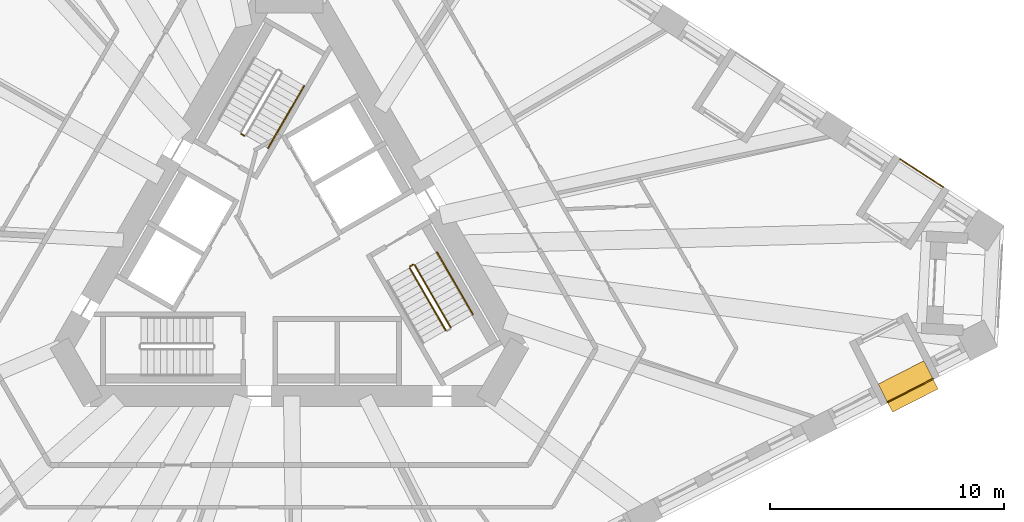
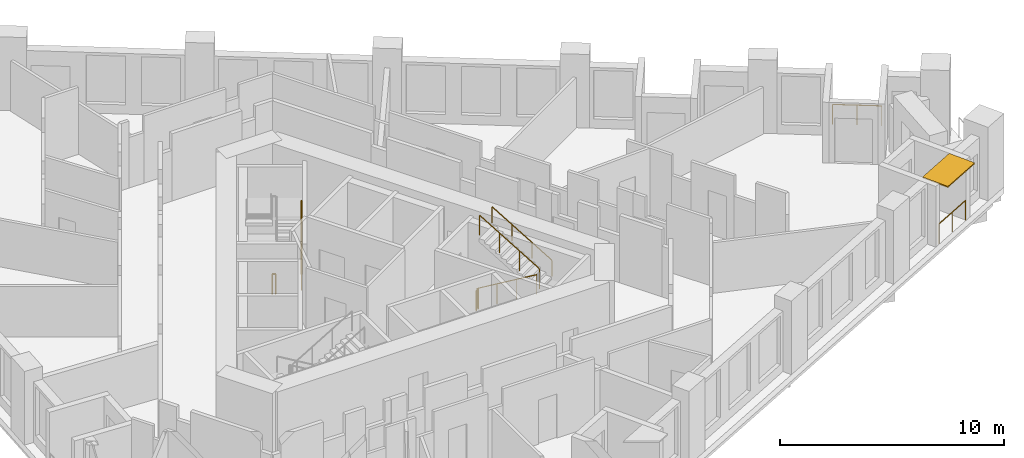
# One storey, part 10 of 12: 8 railings, 1 shading device.
"""IFC4 building model written with IfcOpenShell, lengths in metres."""

from ifc_helpers import new_model, si_unit, direction, frame, origin, origin_2d, place, context, subcontext, project, spatial, rectangle, circle, extrude, material, layer, layer_set, type_object, element, save


model = new_model("IFC4")

# Units and contexts
model_context = context("Model", 3, precision=1e-05, world=origin(), true_north=direction((0.0, 1.0)))
body_context = subcontext(model_context, "Body", "Model", "MODEL_VIEW")
ifc_project = project(units=[si_unit("LENGTHUNIT", "METRE"), si_unit("AREAUNIT", "SQUARE_METRE"), si_unit("VOLUMEUNIT", "CUBIC_METRE"), si_unit("PLANEANGLEUNIT", "RADIAN"), si_unit("MASSUNIT", "GRAM", prefix="KILO")], contexts=[model_context])

# Site, building, storey
site_placement = place(None, origin())
site = spatial("IfcSite", under=ifc_project, at=site_placement, CompositionType="ELEMENT")
building_placement = place(site_placement, origin())
building = spatial("IfcBuilding", under=site, at=building_placement, Name="Tramontana Tower", CompositionType="ELEMENT")
storey_placement = place(building_placement, frame((0.0, 0.0, 129.60009765625)))
storey = spatial("IfcBuildingStorey", under=building, at=storey_placement, Name="L29", CompositionType="ELEMENT", Elevation=129.60009765625)

# Railings
ifc_material_1 = material(Name="Laminated glass balustrade", Category="glass")
railing_type_1 = type_object("IfcRailingType", Name="GD1 Loggia glass balustrade 1100", PredefinedType="BALUSTRADE", material=ifc_material_1)
railing_1_placement = place(storey_placement, frame((25.603271484375, -6.5615234375, 0.0)))
element("IfcRailing", 1, at=railing_1_placement, inside=storey, type_object=railing_type_1, Name="Loggia balustrade L29 G3S1.16", PredefinedType="BALUSTRADE", context=body_context, shape_type="SweptSolid", body=[
    extrude(circle(Radius=0.02392578125, at=origin_2d()), frame((0.0, 0.0, 1.076171875), z_axis=(0.891013126725, 0.4539775413, 0.0), x_axis=(-0.4539775413, 0.891013126725, 0.0)), (0.0, 0.0, 1.0), 2.1904296875),
    extrude(circle(Radius=0.02099609375, at=origin_2d()), origin(), (0.0, 0.0, 1.0), 1.052001953125),
    extrude(circle(Radius=0.02099609375, at=origin_2d()), frame((0.975830078125, 0.4970703125, 0.0)), (0.0, 0.0, 1.0), 1.052001953125),
    extrude(circle(Radius=0.02099609375, at=origin_2d()), frame((1.95166015625, 0.994384765625, 0.0)), (0.0, 0.0, 1.0), 1.052001953125),
])
railing_2_placement = place(storey_placement, frame((27.98583984375, 2.65625, 0.0)))
element("IfcRailing", 2, at=railing_2_placement, inside=storey, type_object=railing_type_1, Name="Loggia balustrade L29 G3S2.1", PredefinedType="BALUSTRADE", context=body_context, shape_type="SweptSolid", body=[
    extrude(circle(Radius=0.02392578125, at=origin_2d()), frame((0.0, 0.0, 1.076171875), z_axis=(-0.838659986147, 0.544655329209, 0.0), x_axis=(-0.544655329209, -0.838659986147, 0.0)), (0.0, 0.0, 1.0), 2.190673828125),
    extrude(circle(Radius=0.02099609375, at=origin_2d()), origin(), (0.0, 0.0, 1.0), 1.052001953125),
    extrude(circle(Radius=0.02099609375, at=origin_2d()), frame((-0.91845703125, 0.5966796875, 0.0)), (0.0, 0.0, 1.0), 1.052001953125),
    extrude(circle(Radius=0.02099609375, at=origin_2d()), frame((-1.837158203125, 1.193115234375, 0.0)), (0.0, 0.0, 1.0), 1.052001953125),
])

# Shading device
ifc_material_2 = material(Name="Precast concrete 60 MPa", Category="concrete")
ifc_layer = layer(ifc_material_2, 0.06005859375)
ifc_layer_set = layer_set([ifc_layer], Name="SS1 Stone sunshade blade 60")
shading_device_type = type_object("IfcShadingDeviceType", Name="SS1 Stone sunshade blade 60", PredefinedType="USERDEFINED", material=ifc_layer_set)
shading_device_placement = place(storey_placement, frame((26.490478515625, -5.890625, 3.239990234375), z_axis=(0.0, 0.0, 1.0), x_axis=(0.891006524188, 0.45399049974, 0.0)))
element("IfcShadingDevice", 3, at=shading_device_placement, inside=storey, type_object=shading_device_type, Name="Sunshade L29 G3S1.16", ObjectType="SUNSHADE", PredefinedType="USERDEFINED", context=body_context, shape_type="SweptSolid", body=[
    extrude(rectangle(XDim=2.1904296875, YDim=1.35009765625, at=origin_2d()), origin(), (0.0, 0.0, 1.0), 0.06005859375),
])

# Railings
ifc_material_3 = material(Name="Painted steel", Category="steel")
railing_type_2 = type_object("IfcRailingType", Name="STAIR GUARD 1100", PredefinedType="GUARDRAIL", material=ifc_material_3)
railing_3_placement = place(storey_placement, frame((-1.935791015625, 4.84716796875, 0.0)))
element("IfcRailing", 4, at=railing_3_placement, inside=storey, type_object=railing_type_2, Name="L29 ST1 stair guard 4", PredefinedType="GUARDRAIL", context=body_context, shape_type="SweptSolid", body=[
    extrude(circle(Radius=0.02392578125, at=origin_2d()), frame((0.0, 0.0, 1.076171875), z_axis=(-0.865426285481, 0.501036270542, 0.0), x_axis=(-0.501036270542, -0.865426285481, 0.0)), (0.0, 0.0, 1.0), 0.150146484375),
    extrude(circle(Radius=0.02099609375, at=origin_2d()), origin(), (0.0, 0.0, 1.0), 1.052001953125),
    extrude(circle(Radius=0.02099609375, at=origin_2d()), frame((-0.1298828125, 0.0751953125, 0.0)), (0.0, 0.0, 1.0), 1.052001953125),
])
railing_4_placement = place(storey_placement, frame((5.1474609375, -0.815673828125, 0.16650390625)))
element("IfcRailing", 5, at=railing_4_placement, inside=storey, type_object=railing_type_2, Name="L29 ST3 stair guard 1", PredefinedType="GUARDRAIL", context=body_context, shape_type="SweptSolid", body=[
    extrude(circle(Radius=0.02392578125, at=origin_2d()), frame((0.0, 0.0, 1.076171875), z_axis=(0.429656224001, -0.744133520484, 0.511527939481), x_axis=(0.866010015463, 0.500026652407, 0.0)), (0.0, 0.0, 1.0), 3.58447265625),
    extrude(circle(Radius=0.02099609375, at=origin_2d()), origin(), (0.0, 0.0, 1.0), 1.052001953125),
    extrude(circle(Radius=0.02099609375, at=origin_2d()), frame((0.513427734375, -0.88916015625, 0.611083984375)), (0.0, 0.0, 1.0), 1.052001953125),
    extrude(circle(Radius=0.02099609375, at=origin_2d()), frame((1.026611328125, -1.778076171875, 1.222412109375)), (0.0, 0.0, 1.0), 1.052001953125),
    extrude(circle(Radius=0.02099609375, at=origin_2d()), frame((1.5400390625, -2.667236328125, 1.83349609375)), (0.0, 0.0, 1.0), 1.052001953125),
])
railing_5_placement = place(storey_placement, frame((6.90380859375, -3.35791015625, 2.16650390625)))
element("IfcRailing", 6, at=railing_5_placement, inside=storey, type_object=railing_type_2, Name="L29 ST3 stair guard 2", PredefinedType="GUARDRAIL", context=body_context, shape_type="SweptSolid", body=[
    extrude(circle(Radius=0.02392578125, at=origin_2d()), frame((0.0, 0.0, 1.076171875), z_axis=(-0.429600682602, 0.744155296881, 0.511542908886), x_axis=(-0.866044340336, -0.499967199496, 0.0)), (0.0, 0.0, 1.0), 3.584228515625),
    extrude(circle(Radius=0.02099609375, at=origin_2d()), origin(), (0.0, 0.0, 1.0), 1.052001953125),
    extrude(circle(Radius=0.02099609375, at=origin_2d()), frame((-0.51318359375, 0.88916015625, 0.611083984375)), (0.0, 0.0, 1.0), 1.052001953125),
    extrude(circle(Radius=0.02099609375, at=origin_2d()), frame((-1.026611328125, 1.778076171875, 1.222412109375)), (0.0, 0.0, 1.0), 1.052001953125),
    extrude(circle(Radius=0.02099609375, at=origin_2d()), frame((-1.539794921875, 2.667236328125, 1.83349609375)), (0.0, 0.0, 1.0), 1.052001953125),
])
railing_6_placement = place(storey_placement, frame((5.165771484375, -0.747314453125, 0.0)))
element("IfcRailing", 7, at=railing_6_placement, inside=storey, type_object=railing_type_2, Name="L29 ST3 stair guard 4", PredefinedType="GUARDRAIL", context=body_context, shape_type="SweptSolid", body=[
    extrude(circle(Radius=0.02392578125, at=origin_2d()), frame((0.0, 0.0, 1.076171875), z_axis=(0.866131372301, 0.499816412211, 0.0), x_axis=(-0.499816412211, 0.866131372301, 0.0)), (0.0, 0.0, 1.0), 0.14990234375),
    extrude(circle(Radius=0.02099609375, at=origin_2d()), origin(), (0.0, 0.0, 1.0), 1.052001953125),
    extrude(circle(Radius=0.02099609375, at=origin_2d()), frame((0.1298828125, 0.074951171875, 0.0)), (0.0, 0.0, 1.0), 1.052001953125),
])
ifc_material_4 = material(Name="Painted steel", Category="steel")
railing_type_3 = type_object("IfcRailingType", Name="STAIR HANDRAIL 900", PredefinedType="HANDRAIL", material=ifc_material_4)
railing_7_placement = place(storey_placement, frame((-0.914794921875, 4.315673828125, 0.16650390625)))
element("IfcRailing", 8, at=railing_7_placement, inside=storey, type_object=railing_type_3, Name="L29 ST1 stair handrail 1", PredefinedType="HANDRAIL", context=body_context, shape_type="SweptSolid", body=[
    extrude(circle(Radius=0.02392578125, at=origin_2d()), frame((0.0, 0.0, 0.8759765625), z_axis=(0.429656224001, 0.744133520484, 0.511527939481), x_axis=(-0.866010015463, 0.500026652407, 0.0)), (0.0, 0.0, 1.0), 3.58447265625),
    extrude(circle(Radius=0.02099609375, at=origin_2d()), origin(), (0.0, 0.0, 1.0), 0.851806640625),
    extrude(circle(Radius=0.02099609375, at=origin_2d()), frame((0.513427734375, 0.88916015625, 0.611083984375)), (0.0, 0.0, 1.0), 0.851806640625),
    extrude(circle(Radius=0.02099609375, at=origin_2d()), frame((1.026611328125, 1.778076171875, 1.222412109375)), (0.0, 0.0, 1.0), 0.851806640625),
    extrude(circle(Radius=0.02099609375, at=origin_2d()), frame((1.5400390625, 2.667236328125, 1.83349609375)), (0.0, 0.0, 1.0), 0.851806640625),
])
railing_8_placement = place(storey_placement, frame((7.8564453125, -2.807861328125, 2.16650390625)))
element("IfcRailing", 9, at=railing_8_placement, inside=storey, type_object=railing_type_3, Name="L29 ST3 stair handrail 2", PredefinedType="HANDRAIL", context=body_context, shape_type="SweptSolid", body=[
    extrude(circle(Radius=0.02392578125, at=origin_2d()), frame((0.0, 0.0, 0.8759765625), z_axis=(-0.429600682602, 0.744155296881, 0.511542908886), x_axis=(-0.866044340336, -0.499967199496, 0.0)), (0.0, 0.0, 1.0), 3.584228515625),
    extrude(circle(Radius=0.02099609375, at=origin_2d()), origin(), (0.0, 0.0, 1.0), 0.851806640625),
    extrude(circle(Radius=0.02099609375, at=origin_2d()), frame((-0.51318359375, 0.88916015625, 0.611083984375)), (0.0, 0.0, 1.0), 0.851806640625),
    extrude(circle(Radius=0.02099609375, at=origin_2d()), frame((-1.026611328125, 1.778076171875, 1.222412109375)), (0.0, 0.0, 1.0), 0.851806640625),
    extrude(circle(Radius=0.02099609375, at=origin_2d()), frame((-1.539794921875, 2.667236328125, 1.83349609375)), (0.0, 0.0, 1.0), 0.851806640625),
])

save(model, "model.ifc")
